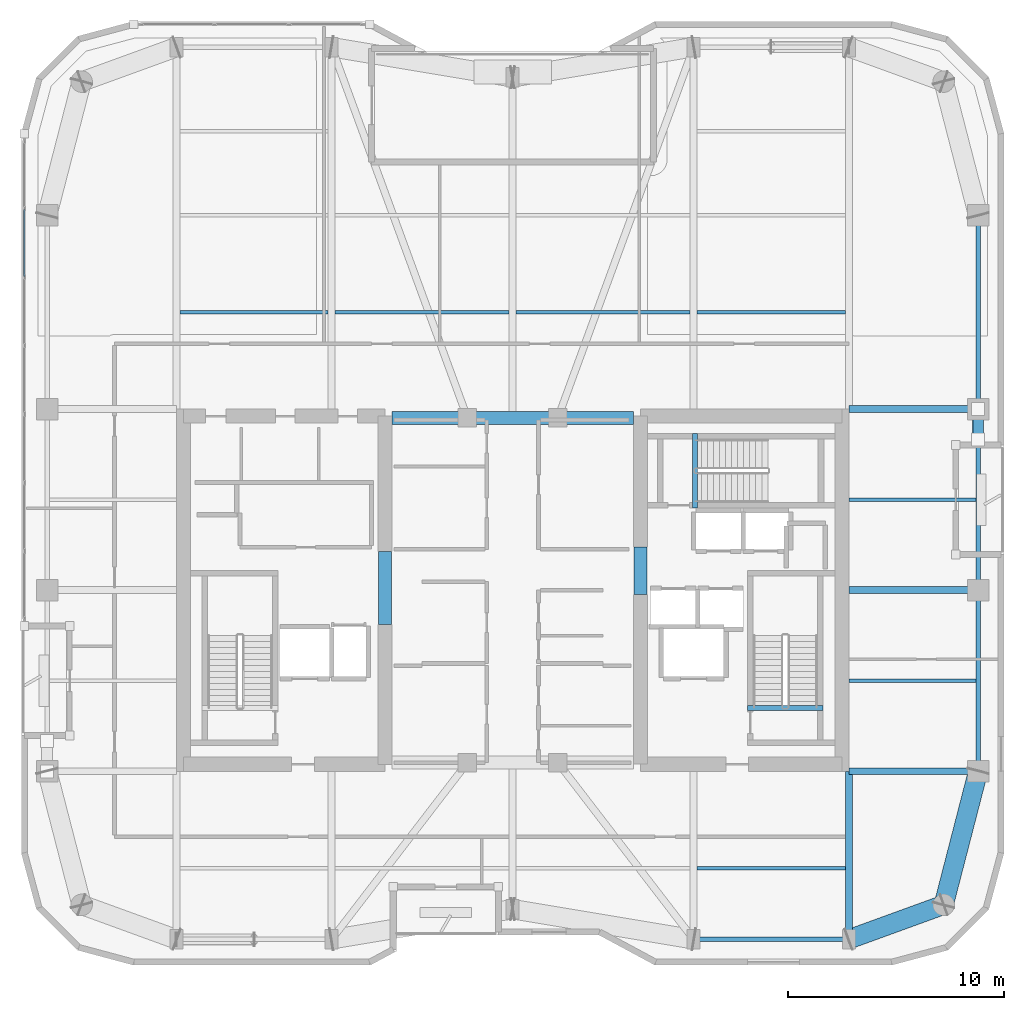
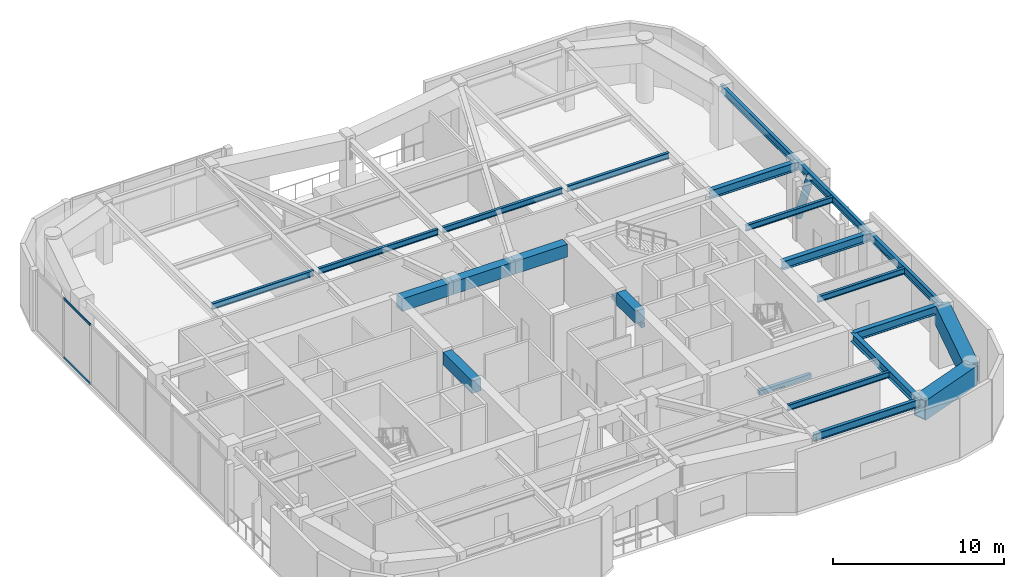
# One storey, part 5 of 19: 24 beams, 3 members, 1 element without a shape of its own.
"""IFC4 building model written with IfcOpenShell, lengths in metres."""

from ifc_helpers import new_model, si_unit, direction, frame, origin, origin_2d, place, context, subcontext, project, spatial, rectangle, hollow_rectangle, hollow_circle, i_section, extrude, material, layer, layer_set, material_profile, profile_set, type_object, element, aggregate, save


model = new_model("IFC4")

# Units and contexts
model_context = context("Model", 3, precision=1e-05, world=origin(), true_north=direction((0.0, 1.0)))
body_context = subcontext(model_context, "Body", "Model", "MODEL_VIEW")
ifc_project = project(units=[si_unit("LENGTHUNIT", "METRE"), si_unit("AREAUNIT", "SQUARE_METRE"), si_unit("VOLUMEUNIT", "CUBIC_METRE"), si_unit("PLANEANGLEUNIT", "RADIAN"), si_unit("MASSUNIT", "GRAM", prefix="KILO")], contexts=[model_context])

# Site, building, storey
site_placement = place(None, origin())
site = spatial("IfcSite", under=ifc_project, at=site_placement, CompositionType="ELEMENT")
building_placement = place(site_placement, origin())
building = spatial("IfcBuilding", under=site, at=building_placement, Name="Kiyonajd Concourse Tower", CompositionType="ELEMENT")
storey_placement = place(building_placement, frame((0.0, 0.0, 238.800048828125)))
storey = spatial("IfcBuildingStorey", under=building, at=storey_placement, Name="L60", CompositionType="ELEMENT", Elevation=238.800048828125)

# Beams
ifc_material_1 = material(Name="Concrete C60/75", Category="concrete")
ifc_material_profile_1 = material_profile(ifc_material_1, rectangle(XDim=0.60009765625, YDim=0.89990234375, at=origin_2d()), Name="RCBM-600x900")
ifc_profile_set_1 = profile_set([ifc_material_profile_1], Name="Concrete C60/75")
beam_type_1 = type_object("IfcBeamType", Name="BM-COUP-900", PredefinedType="LINTEL", material=ifc_profile_set_1)
beam_1_placement = place(storey_placement, frame((42.39990234375, 44.0, 3.829833984375), z_axis=(1.0, 0.0, 0.0), x_axis=(0.0, 1.0, 0.0)))
element("IfcBeam", 1, at=beam_1_placement, inside=storey, type_object=beam_type_1, Name="L60 Core Coupling Beam N1", PredefinedType="LINTEL", context=body_context, shape_type="SweptSolid", body=[
    extrude(rectangle(XDim=0.60009765625, YDim=0.89990234375, at=origin_2d()), origin(), (0.0, 0.0, 1.0), 3.5),
])
beam_2_placement = place(storey_placement, frame((45.89990234375, 44.0, 3.829833984375), z_axis=(1.0, 0.0, 0.0), x_axis=(0.0, 1.0, 0.0)))
element("IfcBeam", 2, at=beam_2_placement, inside=storey, type_object=beam_type_1, Name="L60 Core Coupling Beam N2", PredefinedType="LINTEL", context=body_context, shape_type="SweptSolid", body=[
    extrude(rectangle(XDim=0.60009765625, YDim=0.89990234375, at=origin_2d()), origin(), (0.0, 0.0, 1.0), 4.2001953125),
])
beam_3_placement = place(storey_placement, frame((50.10009765625, 44.0, 3.829833984375), z_axis=(1.0, 0.0, 0.0), x_axis=(0.0, 1.0, 0.0)))
element("IfcBeam", 3, at=beam_3_placement, inside=storey, type_object=beam_type_1, Name="L60 Core Coupling Beam N3", PredefinedType="LINTEL", context=body_context, shape_type="SweptSolid", body=[
    extrude(rectangle(XDim=0.60009765625, YDim=0.89990234375, at=origin_2d()), origin(), (0.0, 0.0, 1.0), 3.5),
])
beam_4_placement = place(storey_placement, frame((42.074951171875, 34.39990234375, 3.829833984375), z_axis=(0.0, 1.0, 0.0), x_axis=(-1.0, 0.0, 0.0)))
element("IfcBeam", 4, at=beam_4_placement, inside=storey, type_object=beam_type_1, Name="L60 West Core Throat Coupling Lintel", PredefinedType="LINTEL", context=body_context, shape_type="SweptSolid", body=[
    extrude(rectangle(XDim=0.60009765625, YDim=0.89990234375, at=origin_2d()), origin(), (0.0, 0.0, 1.0), 3.400146484375),
])
beam_5_placement = place(storey_placement, frame((53.925048828125, 35.800048828125, 3.829833984375), z_axis=(0.0, 1.0, 0.0), x_axis=(-1.0, 0.0, 0.0)))
element("IfcBeam", 5, at=beam_5_placement, inside=storey, type_object=beam_type_1, Name="L60 East Core Throat Coupling Lintel", PredefinedType="LINTEL", context=body_context, shape_type="SweptSolid", body=[
    extrude(rectangle(XDim=0.60009765625, YDim=0.89990234375, at=origin_2d()), origin(), (0.0, 0.0, 1.0), 2.199951171875),
])
ifc_material_2 = material(Name="Steel ASTM A992 Grade 50", Category="steel")
ifc_material_profile_2 = material_profile(ifc_material_2, i_section(OverallWidth=0.180908203125, OverallDepth=0.4169921875, WebThickness=0.010986328125, FlangeThickness=0.018310546875, at=origin_2d()), Name="W410X85")
ifc_profile_set_2 = profile_set([ifc_material_profile_2], Name="Steel ASTM A992 Grade 50")
beam_type_2 = type_object("IfcBeamType", Name="BM-JST-410", PredefinedType="JOIST", material=ifc_profile_set_2)
for number, where, z_axis, x_axis, name in (
    (6, (56.56201171875, 23.10009765625, 4.071533203125), (1.0, 0.0, 0.0), (0.0, 1.0, 0.0), "L60 Secondary Floor Joist"),
    (7, (32.56201171875, 48.89990234375, 4.071533203125), (1.0, 0.0, 0.0), (0.0, 1.0, 0.0), "L60 Secondary Floor Joist"),
):
    element("IfcBeam", number, at=place(storey_placement, frame(where, z_axis=z_axis, x_axis=x_axis)), inside=storey, type_object=beam_type_2, Name=name, PredefinedType="JOIST", context=body_context, shape_type="SweptSolid", body=[
        extrude(i_section(OverallWidth=0.180908203125, OverallDepth=0.4169921875, WebThickness=0.010986328125, FlangeThickness=0.018310546875, at=origin_2d()), origin(), (0.0, 0.0, 1.0), 6.8759765625),
    ])
for number, where, z_axis, x_axis, name in (
    (8, (39.761962890625, 48.89990234375, 4.071533203125), (1.0, 0.0, 0.0), (0.0, 1.0, 0.0), "L60 Secondary Floor Joist"),
    (9, (48.162109375, 48.89990234375, 4.071533203125), (1.0, 0.0, 0.0), (0.0, 1.0, 0.0), "L60 Secondary Floor Joist"),
):
    element("IfcBeam", number, at=place(storey_placement, frame(where, z_axis=z_axis, x_axis=x_axis)), inside=storey, type_object=beam_type_2, Name=name, PredefinedType="JOIST", context=body_context, shape_type="SweptSolid", body=[
        extrude(i_section(OverallWidth=0.180908203125, OverallDepth=0.4169921875, WebThickness=0.010986328125, FlangeThickness=0.018310546875, at=origin_2d()), origin(), (0.0, 0.0, 1.0), 8.075927734375),
    ])
beam_6_placement = place(storey_placement, frame((56.56201171875, 48.89990234375, 4.071533203125), z_axis=(1.0, 0.0, 0.0), x_axis=(0.0, 1.0, 0.0)))
element("IfcBeam", 10, at=beam_6_placement, inside=storey, type_object=beam_type_2, Name="L60 Secondary Floor Joist", PredefinedType="JOIST", context=body_context, shape_type="SweptSolid", body=[
    extrude(i_section(OverallWidth=0.180908203125, OverallDepth=0.4169921875, WebThickness=0.010986328125, FlangeThickness=0.018310546875, at=origin_2d()), origin(), (0.0, 0.0, 1.0), 6.8759765625),
])
for number, where, z_axis, x_axis, name in (
    (11, (63.60009765625, 31.800048828125, 4.071533203125), (1.0, 0.0, 0.0), (0.0, 1.0, 0.0), "L60 East Secondary Floor Joist"),
    (12, (63.60009765625, 40.199951171875, 4.071533203125), (1.0, 0.0, 0.0), (0.0, 1.0, 0.0), "L60 East Secondary Floor Joist"),
):
    element("IfcBeam", number, at=place(storey_placement, frame(where, z_axis=z_axis, x_axis=x_axis)), inside=storey, type_object=beam_type_2, Name=name, PredefinedType="JOIST", context=body_context, shape_type="SweptSolid", body=[
        extrude(i_section(OverallWidth=0.180908203125, OverallDepth=0.4169921875, WebThickness=0.010986328125, FlangeThickness=0.018310546875, at=origin_2d()), origin(), (0.0, 0.0, 1.0), 5.892822265625),
    ])
ifc_material_3 = material(Name="Concrete C50/60", Category="concrete")
ifc_material_profile_3 = material_profile(ifc_material_3, rectangle(XDim=0.239990234375, YDim=0.320068359375, at=origin_2d()), Name="RCBM-240x320")
ifc_profile_set_3 = profile_set([ifc_material_profile_3], Name="Concrete C50/60")
beam_type_3 = type_object("IfcBeamType", Name="BM-LNT-250", PredefinedType="LINTEL", material=ifc_profile_set_3)
beam_7_placement = place(storey_placement, frame((58.889892578125, 30.530029296875, -0.16015625), z_axis=(1.0, 0.0, 0.0), x_axis=(0.0, 1.0, 0.0)))
element("IfcBeam", 13, at=beam_7_placement, inside=storey, type_object=beam_type_3, Name="L60 Stair ST2 Threshold Support Beam", PredefinedType="LINTEL", context=body_context, shape_type="SweptSolid", body=[
    extrude(rectangle(XDim=0.239990234375, YDim=0.320068359375, at=origin_2d()), origin(), (0.0, 0.0, 1.0), 3.52001953125),
])
beam_8_placement = place(storey_placement, frame((56.4599609375, 39.820068359375, -0.16015625), z_axis=(0.0, 1.0, 0.0), x_axis=(-1.0, 0.0, 0.0)))
element("IfcBeam", 14, at=beam_8_placement, inside=storey, type_object=beam_type_3, Name="L60 Stair ST3 Threshold Support Beam", PredefinedType="LINTEL", context=body_context, shape_type="SweptSolid", body=[
    extrude(rectangle(XDim=0.239990234375, YDim=0.320068359375, at=origin_2d()), origin(), (0.0, 0.0, 1.0), 3.4599609375),
])
ifc_material_profile_4 = material_profile(ifc_material_2, i_section(OverallWidth=0.214111328125, OverallDepth=0.549072265625, WebThickness=0.0146484375, FlangeThickness=0.023681640625, at=origin_2d()), Name="W530X138")
ifc_profile_set_4 = profile_set([ifc_material_profile_4], Name="Steel ASTM A992 Grade 50")
beam_type_4 = type_object("IfcBeamType", Name="BM-SPAN-530A", PredefinedType="SPANDREL", material=ifc_profile_set_4)
beam_9_placement = place(storey_placement, frame((56.39990234375, 19.800048828125, 4.00537109375), z_axis=(1.0, 0.0, 0.0), x_axis=(0.0, 1.0, 0.0)))
element("IfcBeam", 15, at=beam_9_placement, inside=storey, type_object=beam_type_4, Name="L60 Perimeter Bundled Tube Spandrel", PredefinedType="SPANDREL", context=body_context, shape_type="SweptSolid", body=[
    extrude(i_section(OverallWidth=0.214111328125, OverallDepth=0.549072265625, WebThickness=0.0146484375, FlangeThickness=0.023681640625, at=origin_2d()), origin(), (0.0, 0.0, 1.0), 7.2001953125),
])
for number, where, z_axis, x_axis, name in (
    (16, (69.60009765625, 27.60009765625, 4.00537109375), (0.0, 1.0, 0.0), (-1.0, 0.0, 0.0), "L60 Perimeter Bundled Tube Spandrel"),
    (17, (69.60009765625, 36.0, 4.00537109375), (0.0, 1.0, 0.0), (-1.0, 0.0, 0.0), "L60 Perimeter Bundled Tube Spandrel"),
):
    element("IfcBeam", number, at=place(storey_placement, frame(where, z_axis=z_axis, x_axis=x_axis)), inside=storey, type_object=beam_type_4, Name=name, PredefinedType="SPANDREL", context=body_context, shape_type="SweptSolid", body=[
        extrude(i_section(OverallWidth=0.214111328125, OverallDepth=0.549072265625, WebThickness=0.0146484375, FlangeThickness=0.023681640625, at=origin_2d()), origin(), (0.0, 0.0, 1.0), 8.39990234375),
    ])
beam_10_placement = place(storey_placement, frame((69.60009765625, 44.39990234375, 4.00537109375), z_axis=(0.0, 1.0, 0.0), x_axis=(-1.0, 0.0, 0.0)))
element("IfcBeam", 18, at=beam_10_placement, inside=storey, type_object=beam_type_4, Name="L60 Perimeter Bundled Tube Spandrel", PredefinedType="SPANDREL", context=body_context, shape_type="SweptSolid", body=[
    extrude(i_section(OverallWidth=0.214111328125, OverallDepth=0.549072265625, WebThickness=0.0146484375, FlangeThickness=0.023681640625, at=origin_2d()), origin(), (0.0, 0.0, 1.0), 9.0),
])
ifc_material_profile_5 = material_profile(ifc_material_2, i_section(OverallWidth=0.323974609375, OverallDepth=0.611083984375, WebThickness=0.0126953125, FlangeThickness=0.01904296875, at=origin_2d()), Name="W610X155")
ifc_profile_set_5 = profile_set([ifc_material_profile_5], Name="Steel ASTM A992 Grade 50")
beam_type_5 = type_object("IfcBeamType", Name="BM-TWR-610B", PredefinedType="BEAM", material=ifc_profile_set_5)
beam_11_placement = place(storey_placement, frame((63.60009765625, 19.800048828125, 3.974365234375), z_axis=(0.0, 1.0, 0.0), x_axis=(-1.0, 0.0, 0.0)))
element("IfcBeam", 19, at=beam_11_placement, inside=storey, type_object=beam_type_5, Name="L60 South Lease Girder", PredefinedType="BEAM", context=body_context, shape_type="SweptSolid", body=[
    extrude(i_section(OverallWidth=0.323974609375, OverallDepth=0.611083984375, WebThickness=0.0126953125, FlangeThickness=0.01904296875, at=origin_2d()), origin(), (0.0, 0.0, 1.0), 7.800048828125),
])
for number, where, z_axis, x_axis, name in (
    (20, (63.60009765625, 27.60009765625, 3.974365234375), (1.0, 0.0, 0.0), (0.0, 1.0, 0.0), "L60 East Lease Girder"),
    (21, (63.60009765625, 36.0, 3.974365234375), (1.0, 0.0, 0.0), (0.0, 1.0, 0.0), "L60 East Lease Girder"),
    (22, (63.60009765625, 44.39990234375, 3.974365234375), (1.0, 0.0, 0.0), (0.0, 1.0, 0.0), "L60 East Lease Girder"),
):
    element("IfcBeam", number, at=place(storey_placement, frame(where, z_axis=z_axis, x_axis=x_axis)), inside=storey, type_object=beam_type_5, Name=name, PredefinedType="BEAM", context=body_context, shape_type="SweptSolid", body=[
        extrude(i_section(OverallWidth=0.323974609375, OverallDepth=0.611083984375, WebThickness=0.0126953125, FlangeThickness=0.01904296875, at=origin_2d()), origin(), (0.0, 0.0, 1.0), 6.0),
    ])
ifc_material_4 = material(Name="Steel ASTM A572 Grade 50", Category="steel")
ifc_material_profile_6 = material_profile(ifc_material_4, hollow_rectangle(XDim=0.89990234375, YDim=1.39990234375, WallThickness=0.070068359375, at=origin_2d()), Name="BOX-1400x900x70")
ifc_profile_set_6 = profile_set([ifc_material_profile_6], Name="Steel ASTM A572 Grade 50")
beam_type_6 = type_object("IfcBeamType", Name="BM-XFER-1400", PredefinedType="BEAM", material=ifc_profile_set_6)
beam_12_placement = place(storey_placement, frame((63.60009765625, 19.800048828125, 3.579833984375), z_axis=(0.939801036019, 0.341722127901, 0.0), x_axis=(-0.341722127901, 0.939801036019, 0.0)))
element("IfcBeam", 23, at=beam_12_placement, inside=storey, type_object=beam_type_6, Name="L60 Perimeter Bundled Tube Spandrel", PredefinedType="BEAM", context=body_context, shape_type="SweptSolid", body=[
    extrude(hollow_rectangle(XDim=0.89990234375, YDim=1.39990234375, WallThickness=0.070068359375, at=origin_2d()), origin(), (0.0, 0.0, 1.0), 4.681640625),
])
beam_13_placement = place(storey_placement, frame((68.0, 21.39990234375, 3.579833984375), z_axis=(0.249884937687, 0.968275538221, 0.0), x_axis=(-0.968275538221, 0.249884937687, 0.0)))
element("IfcBeam", 24, at=beam_13_placement, inside=storey, type_object=beam_type_6, Name="L60 Perimeter Bundled Tube Spandrel", PredefinedType="BEAM", context=body_context, shape_type="SweptSolid", body=[
    extrude(hollow_rectangle(XDim=0.89990234375, YDim=1.39990234375, WallThickness=0.070068359375, at=origin_2d()), origin(), (0.0, 0.0, 1.0), 6.4033203125),
])

# Curtain wall, members
ifc_material_5 = material(Name="Thermally Broken Anodised Aluminium", Category="aluminium")
ifc_layer = layer(ifc_material_5, 0.179931640625)
ifc_layer_set = layer_set([ifc_layer], Name="Thermally Broken Anodised Aluminium")
curtain_wall_type = type_object("IfcCurtainWallType", Name="CW-SYS-05", PredefinedType="NOTDEFINED", material=ifc_layer_set)
curtain_wall_placement = place(storey_placement, origin())
curtain_wall = element("IfcCurtainWall", 25, at=curtain_wall_placement, inside=storey, type_object=curtain_wall_type, Name="L60 Unitised Curtain Wall CW5", PredefinedType="NOTDEFINED")
ifc_material_profile_7 = material_profile(ifc_material_5, hollow_rectangle(XDim=0.074951171875, YDim=0.159912109375, WallThickness=0.0048828125, at=origin_2d()), Name="TRAN-75x160")
ifc_profile_set_7 = profile_set([ifc_material_profile_7], Name="Thermally Broken Anodised Aluminium")
member_type_1 = type_object("IfcMemberType", Name="MB-CW-TRAN2", PredefinedType="USERDEFINED", material=ifc_profile_set_7)
member_1_placement = place(storey_placement, frame((25.340087890625, 50.568603515625, 0.037353515625), z_axis=(0.0, 1.0, 0.0), x_axis=(-1.0, 0.0, 0.0)))
member_1 = element("IfcMember", 26, at=member_1_placement, type_object=member_type_1, Name="CW5 transom 6.1", ObjectType="TRANSOM", PredefinedType="USERDEFINED", context=body_context, shape_type="SweptSolid", body=[
    extrude(hollow_rectangle(XDim=0.074951171875, YDim=0.159912109375, WallThickness=0.0048828125, at=origin_2d()), origin(), (0.0, 0.0, 1.0), 3.105224609375),
])
member_2_placement = place(storey_placement, frame((25.340087890625, 50.568603515625, 4.242431640625), z_axis=(0.0, 1.0, 0.0), x_axis=(-1.0, 0.0, 0.0)))
member_2 = element("IfcMember", 27, at=member_2_placement, type_object=member_type_1, Name="CW5 transom 6.2", ObjectType="TRANSOM", PredefinedType="USERDEFINED", context=body_context, shape_type="SweptSolid", body=[
    extrude(hollow_rectangle(XDim=0.074951171875, YDim=0.159912109375, WallThickness=0.0048828125, at=origin_2d()), origin(), (0.0, 0.0, 1.0), 3.105224609375),
])
aggregate(curtain_wall, [member_1, member_2])

# Member
ifc_material_6 = material(Name="Steel ASTM A500 Grade C", Category="steel")
ifc_material_profile_8 = material_profile(ifc_material_6, hollow_circle(Radius=0.25390625, WallThickness=0.02197265625, at=origin_2d()), Name="CHS-508x22")
ifc_profile_set_8 = profile_set([ifc_material_profile_8], Name="Steel ASTM A500 Grade C")
member_type_2 = type_object("IfcMemberType", Name="MB-PB-MID", PredefinedType="BRACE", material=ifc_profile_set_8)
member_3_placement = place(storey_placement, frame((69.60009765625, 44.39990234375, 0.300048828125), z_axis=(0.0, -0.359828366716, 0.933018513486), x_axis=(1.0, 0.0, 0.0)))
element("IfcMember", 28, at=member_3_placement, inside=storey, type_object=member_type_2, Name="L60 Upper Zone Hollow Tube Brace PBE", PredefinedType="BRACE", context=body_context, shape_type="SweptSolid", body=[
    extrude(hollow_circle(Radius=0.25390625, WallThickness=0.02197265625, at=origin_2d()), origin(), (0.0, 0.0, 1.0), 3.890380859375),
])

save(model, "model.ifc")
